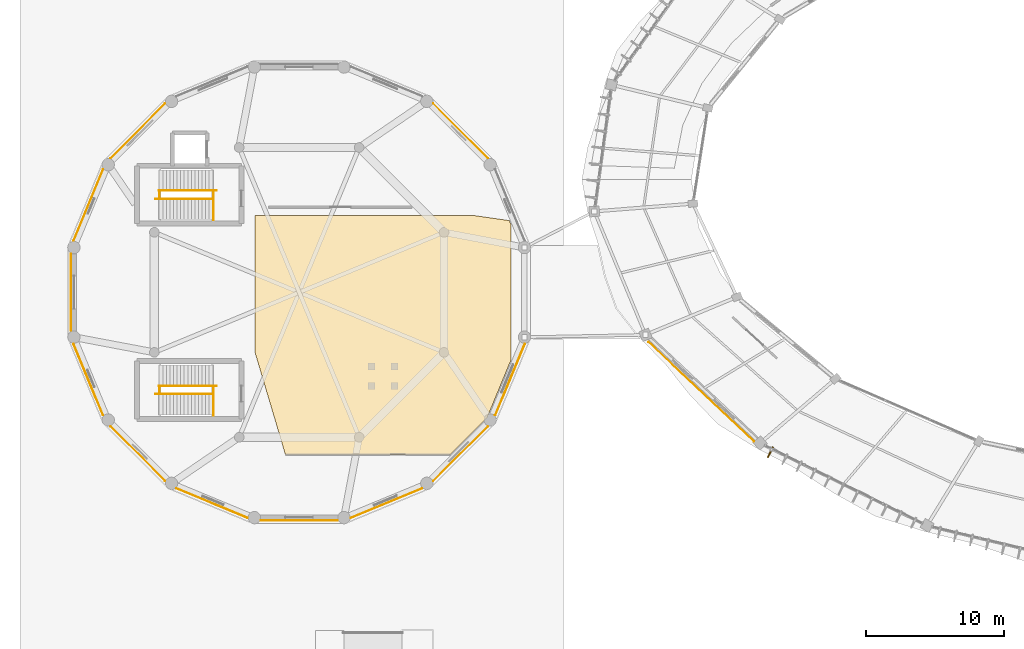
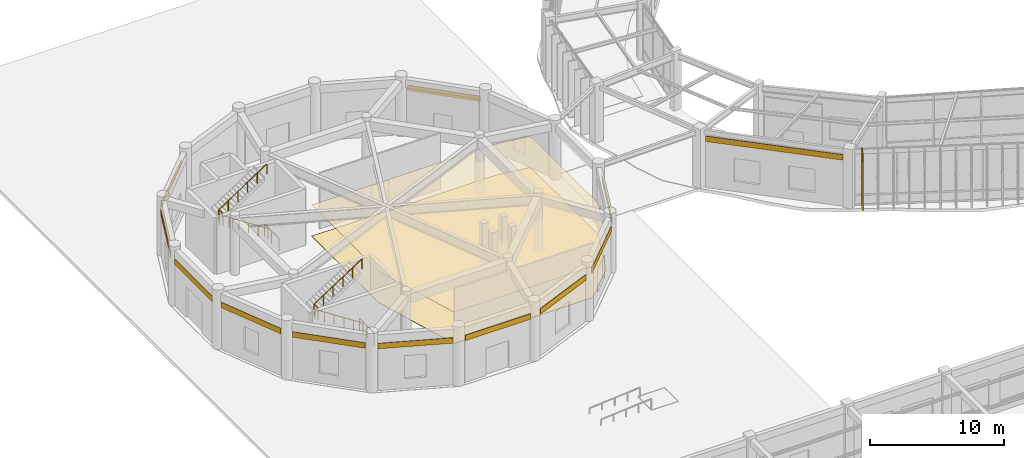
# One storey, part 148 of 157: 14 coverings, 8 railings, 1 shading device.
"""IFC4 building model written with IfcOpenShell, lengths in metres."""

from ifc_helpers import new_model, si_unit, direction, frame, origin, origin_2d, place, context, subcontext, project, spatial, polyline, rectangle, circle, outline, extrude, material, layer, layer_set, type_object, element, save


model = new_model("IFC4")

# Units and contexts
model_context = context("Model", 3, precision=1e-05, world=origin(), true_north=direction((0.0, 1.0)))
body_context = subcontext(model_context, "Body", "Model", "MODEL_VIEW")
ifc_project = project(units=[si_unit("LENGTHUNIT", "METRE"), si_unit("AREAUNIT", "SQUARE_METRE"), si_unit("VOLUMEUNIT", "CUBIC_METRE"), si_unit("PLANEANGLEUNIT", "RADIAN"), si_unit("MASSUNIT", "GRAM", prefix="KILO"), si_unit("THERMODYNAMICTEMPERATUREUNIT", "KELVIN"), si_unit("POWERUNIT", "WATT")], contexts=[model_context])

# Site, building, storey
site_placement = place(None, origin())
site = spatial("IfcSite", under=ifc_project, at=site_placement, CompositionType="ELEMENT")
building_placement = place(site_placement, origin())
building = spatial("IfcBuilding", under=site, at=building_placement, Name="Darbajah Civic Hall", CompositionType="ELEMENT")
storey_placement = place(building_placement, origin())
storey = spatial("IfcBuildingStorey", under=building, at=storey_placement, Name="L00", CompositionType="ELEMENT", Elevation=0.0)

# Railings
ifc_material_1 = material(Name="Brushed Bronze Stainless Steel", Category="steel")
railing_type_1 = type_object("IfcRailingType", Name="Brushed Bronze Handrail", PredefinedType="HANDRAIL", material=ifc_material_1)
railing_1_placement = place(storey_placement, frame((10.52001953125, 88.39990234375, 0.168701171875)))
element("IfcRailing", 1, at=railing_1_placement, inside=storey, type_object=railing_type_1, Name="ST04 L00 lower flight handrail", PredefinedType="HANDRAIL", context=body_context, shape_type="SweptSolid", body=[
    extrude(circle(Radius=0.02392578125, at=origin_2d()), frame((-0.02294921875, 0.0, 0.910888671875), z_axis=(-0.837079509808, 0.0, 0.547081250145), x_axis=(0.0, -1.0, 0.0)), (0.0, 0.0, 1.0), 4.9150390625),
    extrude(circle(Radius=0.02099609375, at=origin_2d()), origin(), (0.0, 0.0, 1.0), 0.867919921875),
    extrude(circle(Radius=0.02099609375, at=origin_2d()), frame((-0.83203125, 0.0, 0.543701171875)), (0.0, 0.0, 1.0), 0.867919921875),
    extrude(circle(Radius=0.02099609375, at=origin_2d()), frame((-1.6640625, 0.0, 1.08740234375)), (0.0, 0.0, 1.0), 0.867919921875),
    extrude(circle(Radius=0.02099609375, at=origin_2d()), frame((-2.495849609375, 0.0, 1.63134765625)), (0.0, 0.0, 1.0), 0.867919921875),
    extrude(circle(Radius=0.02099609375, at=origin_2d()), frame((-3.327880859375, 0.0, 2.175048828125)), (0.0, 0.0, 1.0), 0.867919921875),
    extrude(circle(Radius=0.02099609375, at=origin_2d()), frame((-4.159912109375, 0.0, 2.71875)), (0.0, 0.0, 1.0), 0.867919921875),
])
railing_2_placement = place(storey_placement, frame((6.6201171875, 89.0, 2.86865234375)))
element("IfcRailing", 2, at=railing_2_placement, inside=storey, type_object=railing_type_1, Name="ST04 L00 upper flight handrail", PredefinedType="HANDRAIL", context=body_context, shape_type="SweptSolid", body=[
    extrude(circle(Radius=0.02392578125, at=origin_2d()), frame((0.02294921875, 0.0, 0.910888671875), z_axis=(0.837079509808, 0.0, 0.547081250145), x_axis=(0.0, 1.0, 0.0)), (0.0, 0.0, 1.0), 4.9150390625),
    extrude(circle(Radius=0.02099609375, at=origin_2d()), origin(), (0.0, 0.0, 1.0), 0.867919921875),
    extrude(circle(Radius=0.02099609375, at=origin_2d()), frame((0.83203125, 0.0, 0.543701171875)), (0.0, 0.0, 1.0), 0.867919921875),
    extrude(circle(Radius=0.02099609375, at=origin_2d()), frame((1.6640625, 0.0, 1.08740234375)), (0.0, 0.0, 1.0), 0.867919921875),
    extrude(circle(Radius=0.02099609375, at=origin_2d()), frame((2.495849609375, 0.0, 1.63134765625)), (0.0, 0.0, 1.0), 0.867919921875),
    extrude(circle(Radius=0.02099609375, at=origin_2d()), frame((3.327880859375, 0.0, 2.175048828125)), (0.0, 0.0, 1.0), 0.867919921875),
    extrude(circle(Radius=0.02099609375, at=origin_2d()), frame((4.159912109375, 0.0, 2.71875)), (0.0, 0.0, 1.0), 0.867919921875),
])
railing_3_placement = place(storey_placement, frame((10.52001953125, 74.199951171875, 0.168701171875)))
element("IfcRailing", 3, at=railing_3_placement, inside=storey, type_object=railing_type_1, Name="ST05 L00 lower flight handrail", PredefinedType="HANDRAIL", context=body_context, shape_type="SweptSolid", body=[
    extrude(circle(Radius=0.02392578125, at=origin_2d()), frame((-0.02294921875, 0.0, 0.910888671875), z_axis=(-0.837079509808, 0.0, 0.547081250145), x_axis=(0.0, -1.0, 0.0)), (0.0, 0.0, 1.0), 4.9150390625),
    extrude(circle(Radius=0.02099609375, at=origin_2d()), origin(), (0.0, 0.0, 1.0), 0.867919921875),
    extrude(circle(Radius=0.02099609375, at=origin_2d()), frame((-0.83203125, 0.0, 0.543701171875)), (0.0, 0.0, 1.0), 0.867919921875),
    extrude(circle(Radius=0.02099609375, at=origin_2d()), frame((-1.6640625, 0.0, 1.08740234375)), (0.0, 0.0, 1.0), 0.867919921875),
    extrude(circle(Radius=0.02099609375, at=origin_2d()), frame((-2.495849609375, 0.0, 1.63134765625)), (0.0, 0.0, 1.0), 0.867919921875),
    extrude(circle(Radius=0.02099609375, at=origin_2d()), frame((-3.327880859375, 0.0, 2.175048828125)), (0.0, 0.0, 1.0), 0.867919921875),
    extrude(circle(Radius=0.02099609375, at=origin_2d()), frame((-4.159912109375, 0.0, 2.71875)), (0.0, 0.0, 1.0), 0.867919921875),
])
railing_4_placement = place(storey_placement, frame((6.6201171875, 74.800048828125, 2.86865234375)))
element("IfcRailing", 4, at=railing_4_placement, inside=storey, type_object=railing_type_1, Name="ST05 L00 upper flight handrail", PredefinedType="HANDRAIL", context=body_context, shape_type="SweptSolid", body=[
    extrude(circle(Radius=0.02392578125, at=origin_2d()), frame((0.02294921875, 0.0, 0.910888671875), z_axis=(0.837079509808, 0.0, 0.547081250145), x_axis=(0.0, 1.0, 0.0)), (0.0, 0.0, 1.0), 4.9150390625),
    extrude(circle(Radius=0.02099609375, at=origin_2d()), origin(), (0.0, 0.0, 1.0), 0.867919921875),
    extrude(circle(Radius=0.02099609375, at=origin_2d()), frame((0.83203125, 0.0, 0.543701171875)), (0.0, 0.0, 1.0), 0.867919921875),
    extrude(circle(Radius=0.02099609375, at=origin_2d()), frame((1.6640625, 0.0, 1.08740234375)), (0.0, 0.0, 1.0), 0.867919921875),
    extrude(circle(Radius=0.02099609375, at=origin_2d()), frame((2.495849609375, 0.0, 1.63134765625)), (0.0, 0.0, 1.0), 0.867919921875),
    extrude(circle(Radius=0.02099609375, at=origin_2d()), frame((3.327880859375, 0.0, 2.175048828125)), (0.0, 0.0, 1.0), 0.867919921875),
    extrude(circle(Radius=0.02099609375, at=origin_2d()), frame((4.159912109375, 0.0, 2.71875)), (0.0, 0.0, 1.0), 0.867919921875),
])

# Covering
ifc_material_2 = material(Name="Honed Qatari Limestone Terrazzo", Category="masonry")
ifc_layer_1 = layer(ifc_material_2, 0.030029296875, Name="Honed Qatari Limestone Terrazzo")
ifc_layer_set_1 = layer_set([ifc_layer_1], Name="Honed Qatari Limestone Terrazzo")
covering_type_1 = type_object("IfcCoveringType", Name="Honed Qatari Limestone Terrazzo Flooring", PredefinedType="FLOORING", material=ifc_layer_set_1)
covering_1_placement = place(storey_placement, origin())
element("IfcCovering", 5, at=covering_1_placement, inside=storey, type_object=covering_type_1, Name="L00 stone terrazzo flooring L00-V2-01", PredefinedType="FLOORING", context=body_context, shape_type="SweptSolid", body=[
    extrude(outline(polyline([(13.60009765625, 77.199951171875), (13.60009765625, 87.199951171875), (29.39990234375, 87.199951171875), (32.076171875, 86.817626953125), (32.199951171875, 86.5185546875), (32.199951171875, 76.681396484375), (30.45751953125, 72.474365234375), (27.782958984375, 69.800048828125), (15.800048828125, 69.800048828125), (13.60009765625, 77.199951171875)])), origin(), (0.0, 0.0, 1.0), 0.030029296875),
])

# Railings
ifc_material_3 = material(Name="Brushed Bronze and Laminated Safety Glass", Category="glass")
railing_type_2 = type_object("IfcRailingType", Name="Interior Guard Balustrade", PredefinedType="BALUSTRADE", material=ifc_material_3)
railing_5_placement = place(storey_placement, frame((10.570068359375, 86.85009765625, 0.0)))
element("IfcRailing", 6, at=railing_5_placement, inside=storey, type_object=railing_type_2, Name="ST04 L00 stair-well edge guard", PredefinedType="BALUSTRADE", context=body_context, shape_type="SweptSolid", body=[
    extrude(circle(Radius=0.02392578125, at=origin_2d()), frame((0.0, 0.02734375, 1.09619140625), z_axis=(0.0, 1.0, 0.0), x_axis=(-1.0, 0.0, 0.0)), (0.0, 0.0, 1.0), 2.09521484375),
    extrude(circle(Radius=0.02099609375, at=origin_2d()), origin(), (0.0, 0.0, 1.0), 1.068115234375),
    extrude(circle(Radius=0.02099609375, at=origin_2d()), frame((0.0, 1.074951171875, 0.0)), (0.0, 0.0, 1.0), 1.068115234375),
    extrude(circle(Radius=0.02099609375, at=origin_2d()), frame((0.0, 2.14990234375, 0.0)), (0.0, 0.0, 1.0), 1.068115234375),
])
railing_6_placement = place(storey_placement, frame((6.639892578125, 88.39990234375, 2.699951171875)))
element("IfcRailing", 7, at=railing_6_placement, inside=storey, type_object=railing_type_2, Name="ST04 L00 landing well guard", PredefinedType="BALUSTRADE", context=body_context, shape_type="SweptSolid", body=[
    extrude(circle(Radius=0.02392578125, at=origin_2d()), frame((0.0, 0.02734375, 1.09619140625), z_axis=(0.0, 1.0, 0.0), x_axis=(-1.0, 0.0, 0.0)), (0.0, 0.0, 1.0), 0.54541015625),
    extrude(circle(Radius=0.02099609375, at=origin_2d()), origin(), (0.0, 0.0, 1.0), 1.068115234375),
    extrude(circle(Radius=0.02099609375, at=origin_2d()), frame((0.0, 0.60009765625, 0.0)), (0.0, 0.0, 1.0), 1.068115234375),
])
railing_7_placement = place(storey_placement, frame((10.570068359375, 72.64990234375, 0.0)))
element("IfcRailing", 8, at=railing_7_placement, inside=storey, type_object=railing_type_2, Name="ST05 L00 stair-well edge guard", PredefinedType="BALUSTRADE", context=body_context, shape_type="SweptSolid", body=[
    extrude(circle(Radius=0.02392578125, at=origin_2d()), frame((0.0, 0.02734375, 1.09619140625), z_axis=(0.0, 1.0, 0.0), x_axis=(-1.0, 0.0, 0.0)), (0.0, 0.0, 1.0), 2.095458984375),
    extrude(circle(Radius=0.02099609375, at=origin_2d()), origin(), (0.0, 0.0, 1.0), 1.068115234375),
    extrude(circle(Radius=0.02099609375, at=origin_2d()), frame((0.0, 1.0751953125, 0.0)), (0.0, 0.0, 1.0), 1.068115234375),
    extrude(circle(Radius=0.02099609375, at=origin_2d()), frame((0.0, 2.150146484375, 0.0)), (0.0, 0.0, 1.0), 1.068115234375),
])
railing_8_placement = place(storey_placement, frame((6.639892578125, 74.199951171875, 2.699951171875)))
element("IfcRailing", 9, at=railing_8_placement, inside=storey, type_object=railing_type_2, Name="ST05 L00 landing well guard", PredefinedType="BALUSTRADE", context=body_context, shape_type="SweptSolid", body=[
    extrude(circle(Radius=0.02392578125, at=origin_2d()), frame((0.0, 0.02734375, 1.09619140625), z_axis=(0.0, 1.0, 0.0), x_axis=(-1.0, 0.0, 0.0)), (0.0, 0.0, 1.0), 0.54541015625),
    extrude(circle(Radius=0.02099609375, at=origin_2d()), origin(), (0.0, 0.0, 1.0), 1.068115234375),
    extrude(circle(Radius=0.02099609375, at=origin_2d()), frame((0.0, 0.60009765625, 0.0)), (0.0, 0.0, 1.0), 1.068115234375),
])

# Coverings
ifc_material_4 = material(Name="Qatari Desert Limestone Ashlar", Category="masonry")
ifc_layer_2 = layer(ifc_material_4, 0.044921875, Name="Qatari Desert Limestone Ashlar")
ifc_layer_set_2 = layer_set([ifc_layer_2], Name="Qatari Desert Limestone Ashlar")
covering_type_2 = type_object("IfcCoveringType", Name="Limestone Facade Cladding", PredefinedType="CLADDING", material=ifc_layer_set_2)
covering_2_placement = place(storey_placement, frame((0.0, 0.0, 4.219970703125)))
element("IfcCovering", 10, at=covering_2_placement, inside=storey, type_object=covering_type_2, Name="L00 stone frieze cladding EW-V1O-L00-11", PredefinedType="CLADDING", context=body_context, shape_type="SweptSolid", body=[
    extrude(outline(polyline([(42.199951171875, 78.0166015625), (49.873291015625, 70.7734375), (49.842529296875, 70.74072265625), (42.1689453125, 77.98388671875), (42.199951171875, 78.0166015625)])), origin(), (0.0, 0.0, 1.0), 0.5),
])
covering_3_placement = place(storey_placement, frame((0.0, 0.0, 3.830078125)))
element("IfcCovering", 11, at=covering_3_placement, inside=storey, type_object=covering_type_2, Name="L00 stone frieze cladding EW-V2-L00-01", PredefinedType="CLADDING", context=body_context, shape_type="SweptSolid", body=[
    extrude(outline(polyline([(30.501220703125, 91.33251953125), (26.532470703125, 95.301025390625), (26.564208984375, 95.3330078125), (30.532958984375, 91.3642578125), (30.501220703125, 91.33251953125)])), origin(), (0.0, 0.0, 1.0), 0.5),
])
covering_4_placement = place(storey_placement, frame((0.0, 0.0, 3.830078125)))
element("IfcCovering", 12, at=covering_4_placement, inside=storey, type_object=covering_type_2, Name="L00 stone frieze cladding EW-V2-L00-05", PredefinedType="CLADDING", context=body_context, shape_type="SweptSolid", body=[
    extrude(outline(polyline([(7.0673828125, 95.301025390625), (3.098876953125, 91.33251953125), (3.067138671875, 91.3642578125), (7.03564453125, 95.3330078125), (7.0673828125, 95.301025390625)])), origin(), (0.0, 0.0, 1.0), 0.5),
])
covering_5_placement = place(storey_placement, frame((0.0, 0.0, 3.830078125)))
element("IfcCovering", 13, at=covering_5_placement, inside=storey, type_object=covering_type_2, Name="L00 stone frieze cladding EW-V2-L00-06", PredefinedType="CLADDING", context=body_context, shape_type="SweptSolid", body=[
    extrude(outline(polyline([(2.565185546875, 90.53369140625), (0.41748046875, 85.348388671875), (0.3759765625, 85.36572265625), (2.523681640625, 90.55078125), (2.565185546875, 90.53369140625)])), origin(), (0.0, 0.0, 1.0), 0.5),
])
covering_6_placement = place(storey_placement, frame((0.0, 0.0, 3.830078125)))
element("IfcCovering", 14, at=covering_6_placement, inside=storey, type_object=covering_type_2, Name="L00 stone frieze cladding EW-V2-L00-07", PredefinedType="CLADDING", context=body_context, shape_type="SweptSolid", body=[
    extrude(outline(polyline([(0.22998046875, 84.40625), (0.22998046875, 78.793701171875), (0.18505859375, 78.793701171875), (0.18505859375, 84.40625), (0.22998046875, 84.40625)])), origin(), (0.0, 0.0, 1.0), 0.5),
])
covering_7_placement = place(storey_placement, frame((0.0, 0.0, 3.830078125)))
element("IfcCovering", 15, at=covering_7_placement, inside=storey, type_object=covering_type_2, Name="L00 stone frieze cladding EW-V2-L00-08", PredefinedType="CLADDING", context=body_context, shape_type="SweptSolid", body=[
    extrude(outline(polyline([(0.41748046875, 77.8515625), (2.565185546875, 72.66650390625), (2.523681640625, 72.649169921875), (0.3759765625, 77.834228515625), (0.41748046875, 77.8515625)])), origin(), (0.0, 0.0, 1.0), 0.5),
])
covering_8_placement = place(storey_placement, frame((0.0, 0.0, 3.830078125)))
element("IfcCovering", 16, at=covering_8_placement, inside=storey, type_object=covering_type_2, Name="L00 stone frieze cladding EW-V2-L00-09", PredefinedType="CLADDING", context=body_context, shape_type="SweptSolid", body=[
    extrude(outline(polyline([(3.098876953125, 71.867431640625), (7.0673828125, 67.89892578125), (7.03564453125, 67.8671875), (3.067138671875, 71.835693359375), (3.098876953125, 71.867431640625)])), origin(), (0.0, 0.0, 1.0), 0.5),
])
covering_9_placement = place(storey_placement, frame((0.0, 0.0, 3.830078125)))
element("IfcCovering", 17, at=covering_9_placement, inside=storey, type_object=covering_type_2, Name="L00 stone frieze cladding EW-V2-L00-10", PredefinedType="CLADDING", context=body_context, shape_type="SweptSolid", body=[
    extrude(outline(polyline([(7.866455078125, 67.365234375), (13.051513671875, 65.217529296875), (13.0341796875, 65.17578125), (7.84912109375, 67.323486328125), (7.866455078125, 67.365234375)])), origin(), (0.0, 0.0, 1.0), 0.5),
])
covering_10_placement = place(storey_placement, frame((0.0, 0.0, 3.830078125)))
element("IfcCovering", 18, at=covering_10_placement, inside=storey, type_object=covering_type_2, Name="L00 stone frieze cladding EW-V2-L00-11", PredefinedType="CLADDING", context=body_context, shape_type="SweptSolid", body=[
    extrude(outline(polyline([(13.993896484375, 65.030029296875), (19.606201171875, 65.030029296875), (19.606201171875, 64.985107421875), (13.993896484375, 64.985107421875), (13.993896484375, 65.030029296875)])), origin(), (0.0, 0.0, 1.0), 0.5),
])
covering_11_placement = place(storey_placement, frame((0.0, 0.0, 3.830078125)))
element("IfcCovering", 19, at=covering_11_placement, inside=storey, type_object=covering_type_2, Name="L00 stone frieze cladding EW-V2-L00-12", PredefinedType="CLADDING", context=body_context, shape_type="SweptSolid", body=[
    extrude(outline(polyline([(20.548583984375, 65.217529296875), (25.733642578125, 67.365234375), (25.750732421875, 67.323486328125), (20.565673828125, 65.17578125), (20.548583984375, 65.217529296875)])), origin(), (0.0, 0.0, 1.0), 0.5),
])
covering_12_placement = place(storey_placement, frame((0.0, 0.0, 3.830078125)))
element("IfcCovering", 20, at=covering_12_placement, inside=storey, type_object=covering_type_2, Name="L00 stone frieze cladding EW-V2-L00-13", PredefinedType="CLADDING", context=body_context, shape_type="SweptSolid", body=[
    extrude(outline(polyline([(26.532470703125, 67.89892578125), (30.501220703125, 71.867431640625), (30.532958984375, 71.835693359375), (26.564208984375, 67.8671875), (26.532470703125, 67.89892578125)])), origin(), (0.0, 0.0, 1.0), 0.5),
])
covering_13_placement = place(storey_placement, frame((0.0, 0.0, 3.830078125)))
element("IfcCovering", 21, at=covering_13_placement, inside=storey, type_object=covering_type_2, Name="L00 stone frieze cladding EW-V2-L00-14", PredefinedType="CLADDING", context=body_context, shape_type="SweptSolid", body=[
    extrude(outline(polyline([(31.034912109375, 72.66650390625), (33.1826171875, 77.8515625), (33.22412109375, 77.834228515625), (31.076416015625, 72.649169921875), (31.034912109375, 72.66650390625)])), origin(), (0.0, 0.0, 1.0), 0.5),
])
ifc_material_5 = material(Name="Perforated Acoustic Gypsum Board")
ifc_layer_3 = layer(ifc_material_5, 0.02490234375, Name="Perforated Acoustic Gypsum Board")
ifc_layer_set_3 = layer_set([ifc_layer_3], Name="Perforated Acoustic Gypsum Board")
covering_type_3 = type_object("IfcCoveringType", Name="Perforated Acoustic Gypsum Ceiling", PredefinedType="CEILING", material=ifc_layer_set_3)
covering_14_placement = place(storey_placement, frame((0.0, 0.0, 2.85009765625)))
element("IfcCovering", 22, at=covering_14_placement, inside=storey, type_object=covering_type_3, Name="L00 acoustic suspended ceiling L00-V2-01", PredefinedType="CEILING", context=body_context, shape_type="SweptSolid", body=[
    extrude(outline(polyline([(13.60009765625, 77.199951171875), (13.60009765625, 87.199951171875), (29.39990234375, 87.199951171875), (32.076171875, 86.817626953125), (32.199951171875, 86.5185546875), (32.199951171875, 76.681396484375), (30.45751953125, 72.474365234375), (27.782958984375, 69.800048828125), (15.800048828125, 69.800048828125), (13.60009765625, 77.199951171875)])), origin(), (0.0, 0.0, 1.0), 0.02490234375),
])

# Shading device
ifc_material_6 = material(Name="Bronze Anodised Aluminium and Teak Composite", Category="aluminium")
shading_device_type = type_object("IfcShadingDeviceType", Name="Vertical Bronze Timber Shading Fin", PredefinedType="USERDEFINED", material=ifc_material_6)
shading_device_placement = place(storey_placement, frame((51.060791015625, 69.9794921875, 0.0), z_axis=(0.0, 0.0, 1.0), x_axis=(-0.442914717678, -0.89656374724, 0.0)))
element("IfcShadingDevice", 23, at=shading_device_placement, inside=storey, type_object=shading_device_type, Name="L00 vertical shading fin VF-12-1", ObjectType="VERTICAL FIN", PredefinedType="USERDEFINED", context=body_context, shape_type="SweptSolid", body=[
    extrude(rectangle(XDim=0.85009765625, YDim=0.090087890625, at=origin_2d()), origin(), (0.0, 0.0, 1.0), 5.1201171875),
])

save(model, "model.ifc")
